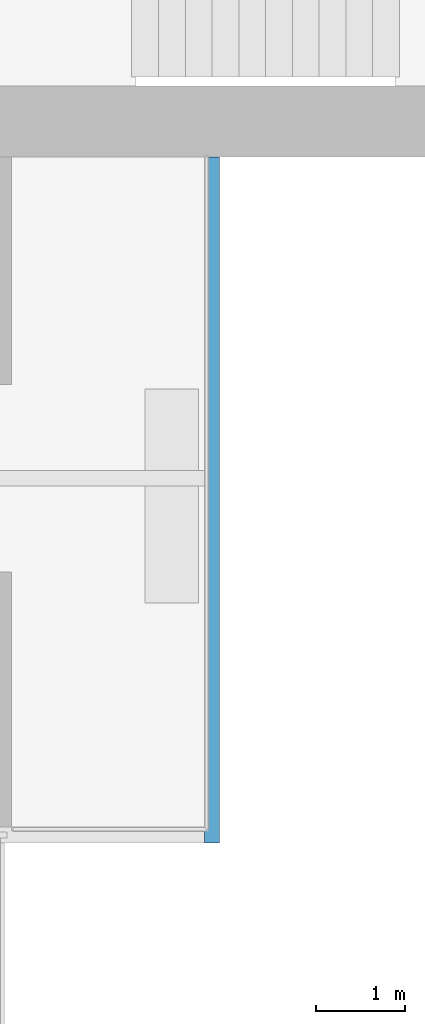
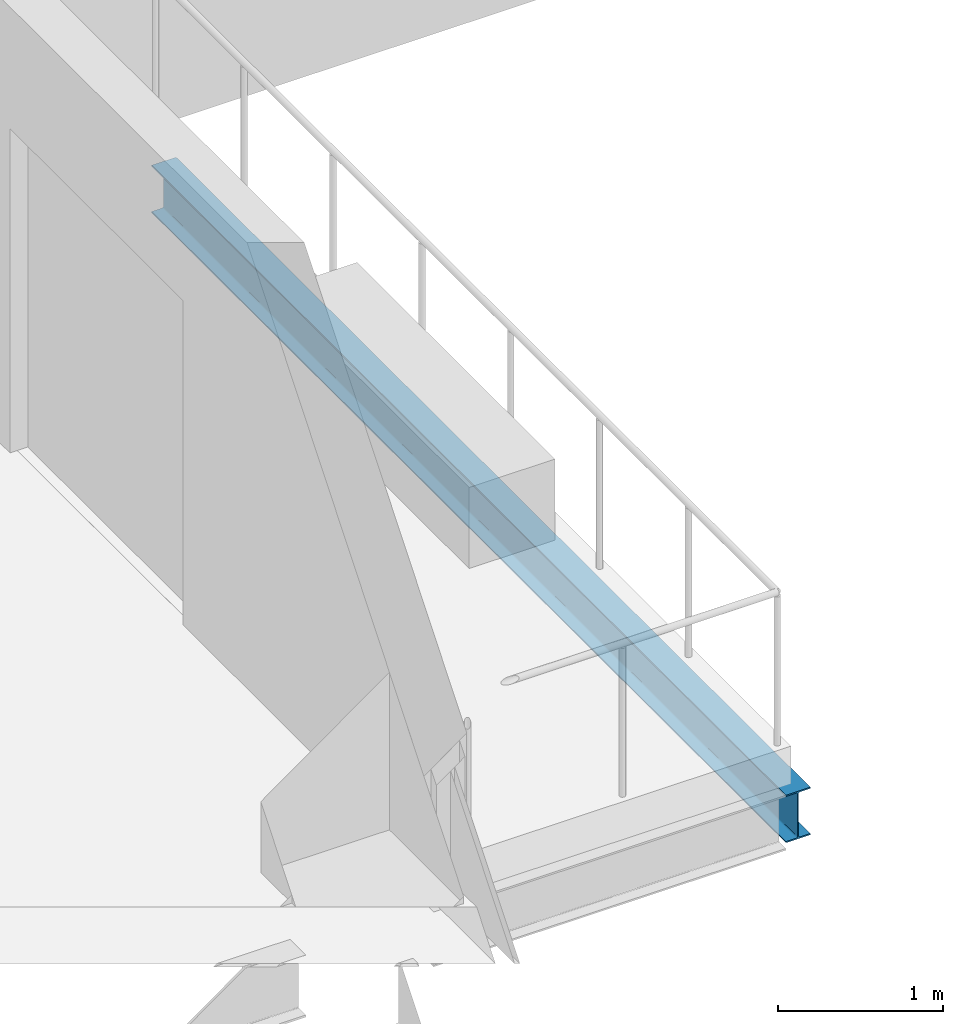
# One storey, part 5 of 27: 1 beam.
"""IFC4 building model written with IfcOpenShell, lengths in metres."""

from ifc_helpers import new_model, si_unit, direction, frame, origin, origin_2d, place, context, subcontext, project, spatial, i_section, extrude, material, material_profile, profile_set, type_object, element, save


model = new_model("IFC4")

# Units and contexts
model_context = context("Model", 3, precision=1e-05, world=origin(), true_north=direction((0.0, 1.0)))
body_context = subcontext(model_context, "Body", "Model", "MODEL_VIEW")
ifc_project = project(units=[si_unit("LENGTHUNIT", "METRE"), si_unit("AREAUNIT", "SQUARE_METRE"), si_unit("VOLUMEUNIT", "CUBIC_METRE"), si_unit("PLANEANGLEUNIT", "RADIAN"), si_unit("MASSUNIT", "GRAM", prefix="KILO")], contexts=[model_context])

# Site, building, storey
site_placement = place(None, origin())
site = spatial("IfcSite", under=ifc_project, at=site_placement, CompositionType="ELEMENT")
building_placement = place(site_placement, origin())
building = spatial("IfcBuilding", under=site, at=building_placement, Name="Crosswind Convention Tower", CompositionType="ELEMENT")
storey_placement = place(building_placement, frame((0.0, 0.0, 101.60009765625)))
storey = spatial("IfcBuildingStorey", under=building, at=storey_placement, Name="L20", CompositionType="ELEMENT", Elevation=101.60009765625)

# Beam
ifc_material = material(Name="Steel S355", Category="steel")
ifc_material_profile = material_profile(ifc_material, i_section(OverallWidth=0.1708984375, OverallDepth=0.35205078125, WebThickness=0.0068359375, FlangeThickness=0.009765625, FilletRadius=0.01025390625, at=origin_2d()), Name="UB 356x171x45")
ifc_profile_set = profile_set([ifc_material_profile], Name="Steel S355")
beam_type = type_object("IfcBeamType", Name="Balcony edge beam UB 356x171x45", PredefinedType="BEAM", material=ifc_profile_set)
beam_placement = place(storey_placement, frame((140.0, 87.60009765625, -0.4560546875), z_axis=(0.0, -1.0, 0.0), x_axis=(1.0, 0.0, 0.0)))
element("IfcBeam", 1, at=beam_placement, inside=storey, type_object=beam_type, Name="B37 L20 balcony edge beam SE 12", PredefinedType="BEAM", context=body_context, shape_type="SweptSolid", body=[
    extrude(i_section(OverallWidth=0.1708984375, OverallDepth=0.35205078125, WebThickness=0.0068359375, FlangeThickness=0.009765625, FilletRadius=0.01025390625, at=origin_2d()), origin(), (0.0, 0.0, 1.0), 7.68896484375),
])

save(model, "model.ifc")
